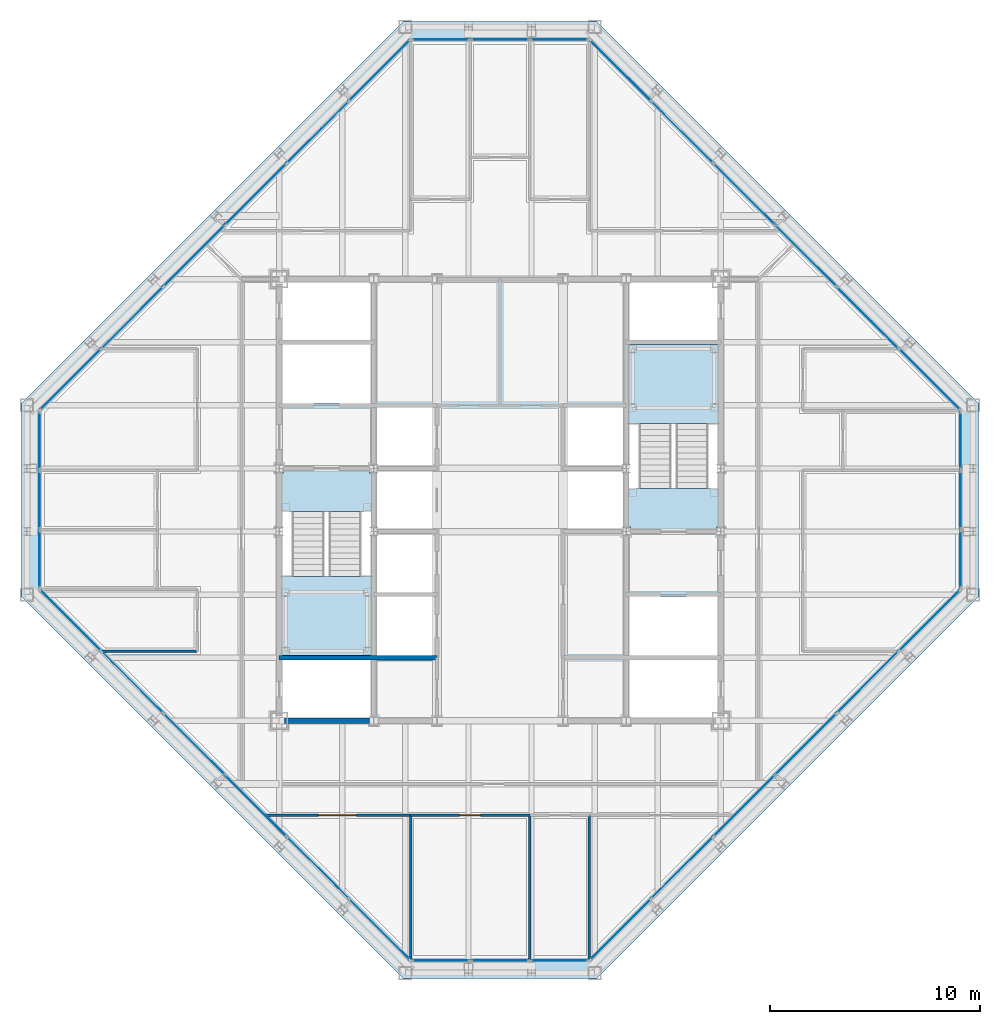
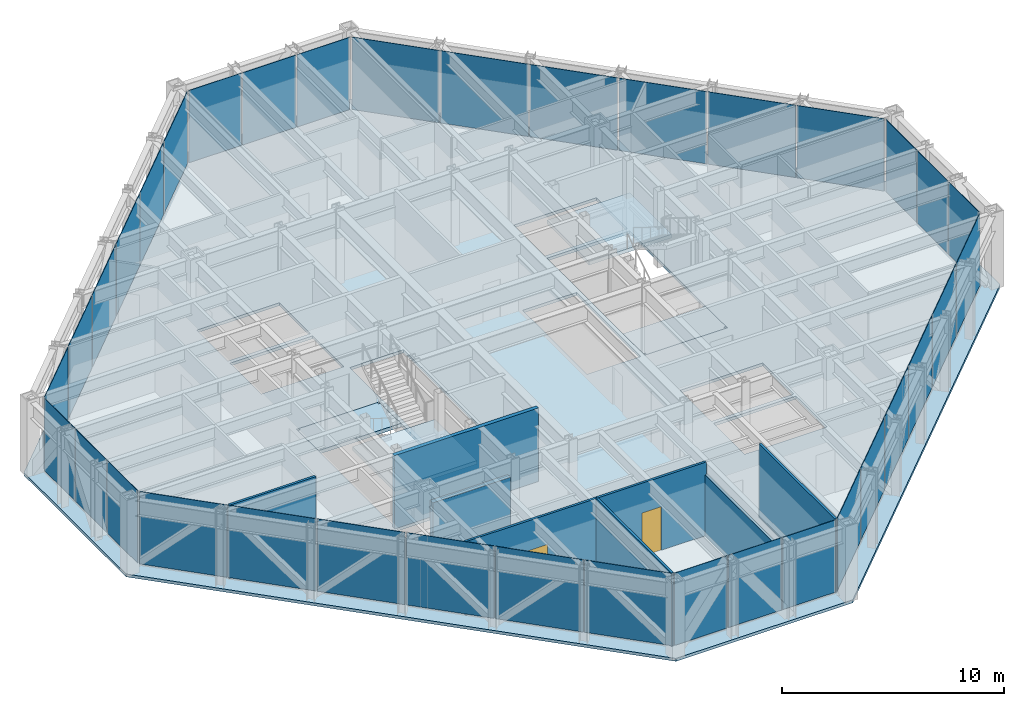
# One storey, part 9 of 15: 36 plates, 8 walls, 5 slabs, 2 doors, 2 openings, 10 elements without a shape of their own.
"""IFC4 building model written with IfcOpenShell, lengths in metres."""

import ifcopenshell
import ifcopenshell.guid

model = None  # the IFC model being written
_history = None  # IfcOwnerHistory: only IFC2X3 demands one
_inside = {}  # id of a spatial element -> (the spatial element, [elements in it])
_under = {}  # id of a project, library or spatial element -> (it, [spatial elements below it])
_declared = {}  # id of a project -> (the project, [libraries it declares])
_typed = {}  # id of a type object -> (the type object, [elements of that type])
_made_of = {}  # id of a material, layer set ... -> (it, [elements and type objects made of it])


def new_model(schema):
    """Start an empty IFC model of exactly this schema.

    Asked for "IFC4X3", IfcOpenShell would pick the latest addendum, in which some entities
    have other attributes; the version numbers below select the first issue.
    IFC2X3 requires an IfcOwnerHistory on every rooted entity: one is made here for all.
    """
    global model, _history
    if schema == "IFC4X3":
        model = ifcopenshell.file(schema_version=(4, 3, 0, 0))
    else:
        model = ifcopenshell.file(schema=schema)
    _inside.clear()
    _under.clear()
    _declared.clear()
    _typed.clear()
    _made_of.clear()
    _history = None
    if model.schema == "IFC2X3":
        org = make("IfcOrganization", Name="unknown")
        user = make(
            "IfcPersonAndOrganization",
            ThePerson=make("IfcPerson", FamilyName="unknown"),
            TheOrganization=org,
        )
        app = make(
            "IfcApplication",
            ApplicationDeveloper=org,
            Version="unknown",
            ApplicationFullName="unknown",
            ApplicationIdentifier="unknown",
        )
        _history = make(
            "IfcOwnerHistory",
            OwningUser=user,
            OwningApplication=app,
            ChangeAction="ADDED",
            CreationDate=0,
        )
    return model


def make(cls, **values):
    """One entity of the class cls with the attributes given. An attribute that is None is left unset."""
    return model.create_entity(
        cls, **{name: value for name, value in values.items() if value is not None}
    )


def rooted(cls, **values):
    """An entity with a GlobalId (a new one), such as an element, a storey or a relation."""
    return make(cls, GlobalId=ifcopenshell.guid.new(), OwnerHistory=_history, **values)


def si_unit(unit_type, name, prefix=None):
    """IfcSIUnit, for example si_unit("LENGTHUNIT", "METRE", prefix="MILLI")."""
    return make("IfcSIUnit", UnitType=unit_type, Prefix=prefix, Name=name)


def assignment(units):
    """IfcUnitAssignment: the units of a project."""
    return None if units is None else make("IfcUnitAssignment", Units=units)


def point(xyz):
    """IfcCartesianPoint."""
    return None if xyz is None else make("IfcCartesianPoint", Coordinates=xyz)


def direction(xyz):
    """IfcDirection."""
    return None if xyz is None else make("IfcDirection", DirectionRatios=xyz)


def frame(location, z_axis=None, x_axis=None):
    """IfcAxis2Placement3D, a coordinate frame: its origin and axes. An axis left out is left unset."""
    return make(
        "IfcAxis2Placement3D",
        Location=point(location),
        Axis=direction(z_axis),
        RefDirection=direction(x_axis),
    )


def frame_2d(location, x_axis=None):
    """IfcAxis2Placement2D, a coordinate frame in the plane: its origin and x axis."""
    return make(
        "IfcAxis2Placement2D", Location=point(location), RefDirection=direction(x_axis)
    )


def origin():
    """The frame at (0, 0, 0) with its axes left unset."""
    return frame((0.0, 0.0, 0.0))


def origin_2d():
    """The frame at (0, 0) in the plane with its x axis left unset."""
    return frame_2d((0.0, 0.0))


def place(relative_to, where):
    """IfcLocalPlacement: puts the frame where relative to a parent placement (None: the world)."""
    return make(
        "IfcLocalPlacement", PlacementRelTo=relative_to, RelativePlacement=where
    )


def context(
    kind, dimensions, precision=None, world=None, true_north=None, identifier=None
):
    """IfcGeometricRepresentationContext, for example the 3D "Model" context."""
    return make(
        "IfcGeometricRepresentationContext",
        ContextIdentifier=identifier,
        ContextType=kind,
        CoordinateSpaceDimension=dimensions,
        Precision=precision,
        WorldCoordinateSystem=world,
        TrueNorth=true_north,
    )


def subcontext(parent, identifier, kind, view, scale=None):
    """IfcGeometricRepresentationSubContext, for example "Body" below "Model"."""
    return make(
        "IfcGeometricRepresentationSubContext",
        ContextIdentifier=identifier,
        ContextType=kind,
        ParentContext=parent,
        TargetScale=scale,
        TargetView=view,
    )


def project(units=None, contexts=None):
    """IfcProject with its units and contexts."""
    return rooted(
        "IfcProject",
        Name="project",
        RepresentationContexts=contexts,
        UnitsInContext=assignment(units),
    )


def spatial(cls, under=None, at=None, **own):
    """A site, building, storey or space (cls), placed at a placement, below another one or the project."""
    s = rooted(cls, ObjectPlacement=at, **own)
    if under is not None:
        _under.setdefault(under.id(), (under, []))[1].append(s)
    return s


def polyline(points):
    """IfcPolyline through the points."""
    return make("IfcPolyline", Points=[point(p) for p in points])


def profile(cls, at=None, kind="AREA", **sizes):
    """A parametric profile (cls). Its sizes go by their IFC names, for example OverallWidth=200.0."""
    return make(cls, ProfileType=kind, Position=at, **sizes)


def rectangle(**sizes):
    """IfcRectangleProfileDef."""
    return profile("IfcRectangleProfileDef", **sizes)


def outline(outer, holes=None, kind="AREA"):
    """IfcArbitraryClosedProfileDef: a profile drawn as a closed curve; with holes, ...WithVoids."""
    if holes is None:
        return make("IfcArbitraryClosedProfileDef", ProfileType=kind, OuterCurve=outer)
    return make(
        "IfcArbitraryProfileDefWithVoids",
        ProfileType=kind,
        OuterCurve=outer,
        InnerCurves=holes,
    )


def extrude(swept, where, along, depth):
    """IfcExtrudedAreaSolid: the profile swept, set in the frame where, extruded along a direction by depth."""
    return make(
        "IfcExtrudedAreaSolid",
        SweptArea=swept,
        Position=where,
        ExtrudedDirection=direction(along),
        Depth=depth,
    )


def shape(context_of_items, identifier, shape_type, items):
    """IfcShapeRepresentation: the items that make up one representation, for example the "Body"."""
    return make(
        "IfcShapeRepresentation",
        ContextOfItems=context_of_items,
        RepresentationIdentifier=identifier,
        RepresentationType=shape_type,
        Items=items,
    )


def material(Name=None, Category=None):
    """IfcMaterial."""
    return make("IfcMaterial", Name=Name, Category=Category)


def layer(
    of_material, thickness, ventilated=None, Name=None, Category=None, Priority=None
):
    """IfcMaterialLayer: one layer of a wall or slab, of a material (None: an air gap)."""
    return make(
        "IfcMaterialLayer",
        Material=of_material,
        LayerThickness=thickness,
        IsVentilated=ventilated,
        Name=Name,
        Category=Category,
        Priority=Priority,
    )


def layer_set(layers, Name=None):
    """IfcMaterialLayerSet."""
    return make("IfcMaterialLayerSet", MaterialLayers=layers, LayerSetName=Name)


def made_of(thing, what):
    """Note that an element or type object is made of a material, layer set ...; save() writes the relation."""
    if what is not None:
        _made_of.setdefault(what.id(), (what, []))[1].append(thing)
    return thing


def type_object(cls, material=None, **own):
    """A type object (cls), such as IfcWallType, which elements share."""
    return made_of(rooted(cls, **own), material)


def element(
    cls,
    number,
    at=None,
    inside=None,
    cuts=None,
    type_object=None,
    material=None,
    context=None,
    identifier="Body",
    shape_type=None,
    held_by="IfcProductDefinitionShape",
    body=None,
    shapes=None,
    **own,
):
    """One element of the class cls, such as IfcWall. Its Tag is "e" and its number.

    at: its placement. inside: the storey or other place that contains it. cuts: it is an
    opening in that element (IfcRelVoidsElement). A single representation is given by context,
    identifier, shape_type and body (its items); several are given by shapes. held_by: the class
    of the entity that holds the representations. save() writes the other relations.
    """
    e = rooted(cls, Tag="e%d" % number, ObjectPlacement=at, **own)
    if body is not None:
        shapes = [shape(context, identifier, shape_type, body)]
    if shapes is not None:
        e.Representation = make(held_by, Representations=shapes)
    if inside is not None:
        _inside.setdefault(inside.id(), (inside, []))[1].append(e)
    if cuts is not None:
        rooted(
            "IfcRelVoidsElement", RelatingBuildingElement=cuts, RelatedOpeningElement=e
        )
    if type_object is not None:
        _typed.setdefault(type_object.id(), (type_object, []))[1].append(e)
    return made_of(e, material)


def fill(opening, filler):
    """IfcRelFillsElement: the door or window that sits in an opening."""
    return rooted(
        "IfcRelFillsElement",
        RelatingOpeningElement=opening,
        RelatedBuildingElement=filler,
    )


def aggregate(whole, parts):
    """IfcRelAggregates: a whole, such as a stair, and the parts it consists of."""
    return rooted("IfcRelAggregates", RelatingObject=whole, RelatedObjects=parts)


def save(model, path):
    """Write the relations noted so far, then the file.

    IfcRelAggregates (storeys below a building ...), IfcRelContainedInSpatialStructure (elements
    in a storey), IfcRelDefinesByType, IfcRelAssociatesMaterial and IfcRelDeclares: one each for
    every whole, place, type object, material and project.
    """
    for whole, parts in _under.values():
        aggregate(whole, parts)
    for where, things in _inside.values():
        rooted(
            "IfcRelContainedInSpatialStructure",
            RelatedElements=things,
            RelatingStructure=where,
        )
    for kind, things in _typed.values():
        rooted("IfcRelDefinesByType", RelatedObjects=things, RelatingType=kind)
    for what, things in _made_of.values():
        rooted("IfcRelAssociatesMaterial", RelatedObjects=things, RelatingMaterial=what)
    for by, libraries in _declared.values():
        rooted("IfcRelDeclares", RelatingContext=by, RelatedDefinitions=libraries)
    model.write(path)


model = new_model("IFC4")

# Units and contexts
model_context = context("Model", 3, precision=1e-05, world=origin(), true_north=direction((0.0, 1.0)))
body_context = subcontext(model_context, "Body", "Model", "MODEL_VIEW")
ifc_project = project(units=[si_unit("LENGTHUNIT", "METRE"), si_unit("AREAUNIT", "SQUARE_METRE"), si_unit("VOLUMEUNIT", "CUBIC_METRE"), si_unit("PLANEANGLEUNIT", "RADIAN"), si_unit("MASSUNIT", "GRAM", prefix="KILO")], contexts=[model_context])

# Site, building, storey
site_placement = place(None, origin())
site = spatial("IfcSite", under=ifc_project, at=site_placement, CompositionType="ELEMENT")
building_placement = place(site_placement, origin())
building = spatial("IfcBuilding", under=site, at=building_placement, Name="Chuquiago Exchange Tower", CompositionType="ELEMENT")
storey_placement = place(building_placement, frame((0.0, 0.0, 287.39990234375)))
storey = spatial("IfcBuildingStorey", under=building, at=storey_placement, Name="L64", CompositionType="ELEMENT", Elevation=287.39990234375)

# Curtain wall, plate
ifc_material_1 = material(Name="Aluminium curtain wall system", Category="aluminium")
ifc_layer_1 = layer(ifc_material_1, 0.22509765625)
ifc_layer_set_1 = layer_set([ifc_layer_1], Name="CW2 office curtain wall")
curtain_wall_type_1 = type_object("IfcCurtainWallType", Name="CW2 office curtain wall", PredefinedType="NOTDEFINED", material=ifc_layer_set_1)
curtain_wall_1_placement = place(storey_placement, origin())
curtain_wall_1 = element("IfcCurtainWall", 1, at=curtain_wall_1_placement, inside=storey, type_object=curtain_wall_type_1, Name="CW2 curtain wall L64", PredefinedType="NOTDEFINED")
ifc_material_2 = material(Name="Glass, insulating unit", Category="glass")
ifc_layer_2 = layer(ifc_material_2, 0.030029296875)
ifc_layer_set_2 = layer_set([ifc_layer_2], Name="CW2-P panel 30")
plate_type_1 = type_object("IfcPlateType", Name="CW2-P panel 30", PredefinedType="CURTAIN_PANEL", material=ifc_layer_set_2)
plate_1_placement = place(storey_placement, frame((25.318115234375, 0.60009765625, 0.06494140625), z_axis=(0.0, 0.0, 1.0), x_axis=(1.0, 0.0, 0.0)))
plate_1 = element("IfcPlate", 2, at=plate_1_placement, type_object=plate_type_1, Name="CW2 panel 3.1", PredefinedType="CURTAIN_PANEL", context=body_context, shape_type="SweptSolid", body=[
    extrude(rectangle(XDim=2.73681640625, YDim=0.030029296875, at=origin_2d()), origin(), (0.0, 0.0, 1.0), 3.97509765625),
])

curtain_wall_2_placement = place(storey_placement, origin())
curtain_wall_2 = element("IfcCurtainWall", 3, at=curtain_wall_2_placement, inside=storey, type_object=curtain_wall_type_1, Name="CW2 curtain wall L64", PredefinedType="NOTDEFINED")
plate_2_placement = place(storey_placement, frame((44.39990234375, 25.318115234375, 0.06494140625), z_axis=(0.0, 0.0, 1.0), x_axis=(0.0, 1.0, 0.0)))
plate_2 = element("IfcPlate", 4, at=plate_2_placement, type_object=plate_type_1, Name="CW2 panel 3.1", PredefinedType="CURTAIN_PANEL", context=body_context, shape_type="SweptSolid", body=[
    extrude(rectangle(XDim=2.73681640625, YDim=0.030029296875, at=origin_2d()), origin(), (0.0, 0.0, 1.0), 3.97509765625),
])

curtain_wall_3_placement = place(storey_placement, origin())
curtain_wall_3 = element("IfcCurtainWall", 5, at=curtain_wall_3_placement, inside=storey, type_object=curtain_wall_type_1, Name="CW2 curtain wall L64", PredefinedType="NOTDEFINED")
plate_3_placement = place(storey_placement, frame((19.681884765625, 44.39990234375, 0.06494140625), z_axis=(0.0, 0.0, 1.0), x_axis=(-1.0, 0.0, 0.0)))
plate_3 = element("IfcPlate", 6, at=plate_3_placement, type_object=plate_type_1, Name="CW2 panel 3.1", PredefinedType="CURTAIN_PANEL", context=body_context, shape_type="SweptSolid", body=[
    extrude(rectangle(XDim=2.73681640625, YDim=0.030029296875, at=origin_2d()), origin(), (0.0, 0.0, 1.0), 3.97509765625),
])

curtain_wall_4_placement = place(storey_placement, origin())
curtain_wall_4 = element("IfcCurtainWall", 7, at=curtain_wall_4_placement, inside=storey, type_object=curtain_wall_type_1, Name="CW2 curtain wall L64", PredefinedType="NOTDEFINED")
plate_4_placement = place(storey_placement, frame((0.60009765625, 19.681884765625, 0.06494140625), z_axis=(0.0, 0.0, 1.0), x_axis=(0.0, -1.0, 0.0)))
plate_4 = element("IfcPlate", 8, at=plate_4_placement, type_object=plate_type_1, Name="CW2 panel 3.1", PredefinedType="CURTAIN_PANEL", context=body_context, shape_type="SweptSolid", body=[
    extrude(rectangle(XDim=2.73681640625, YDim=0.030029296875, at=origin_2d()), origin(), (0.0, 0.0, 1.0), 3.97509765625),
])

# Plate
ifc_material_3 = material(Name="Insulated spandrel panel, pale anodised aluminium", Category="aluminium")
ifc_layer_3 = layer(ifc_material_3, 0.030029296875)
ifc_layer_set_3 = layer_set([ifc_layer_3], Name="CW2-P spandrel panel 30")
plate_type_2 = type_object("IfcPlateType", Name="CW2-P spandrel panel 30", PredefinedType="CURTAIN_PANEL", material=ifc_layer_set_3)
plate_5_placement = place(storey_placement, frame((19.681884765625, 0.60009765625, 0.06494140625), z_axis=(0.0, 0.0, 1.0), x_axis=(1.0, 0.0, 0.0)))
plate_5 = element("IfcPlate", 9, at=plate_5_placement, type_object=plate_type_2, Name="CW2 panel 1.1", PredefinedType="CURTAIN_PANEL", context=body_context, shape_type="SweptSolid", body=[
    extrude(rectangle(XDim=2.73681640625, YDim=0.030029296875, at=origin_2d()), origin(), (0.0, 0.0, 1.0), 3.97509765625),
])

plate_6_placement = place(storey_placement, frame((22.5, 0.60009765625, 0.06494140625), z_axis=(0.0, 0.0, 1.0), x_axis=(1.0, 0.0, 0.0)))
plate_6 = element("IfcPlate", 10, at=plate_6_placement, type_object=plate_type_2, Name="CW2 panel 2.1", PredefinedType="CURTAIN_PANEL", context=body_context, shape_type="SweptSolid", body=[
    extrude(rectangle(XDim=2.769287109375, YDim=0.030029296875, at=origin_2d()), origin(), (0.0, 0.0, 1.0), 3.97509765625),
])

aggregate(curtain_wall_1, [plate_5, plate_6, plate_1])

plate_7_placement = place(storey_placement, frame((44.39990234375, 19.681884765625, 0.06494140625), z_axis=(0.0, 0.0, 1.0), x_axis=(0.0, 1.0, 0.0)))
plate_7 = element("IfcPlate", 11, at=plate_7_placement, type_object=plate_type_2, Name="CW2 panel 1.1", PredefinedType="CURTAIN_PANEL", context=body_context, shape_type="SweptSolid", body=[
    extrude(rectangle(XDim=2.73681640625, YDim=0.030029296875, at=origin_2d()), origin(), (0.0, 0.0, 1.0), 3.97509765625),
])

plate_8_placement = place(storey_placement, frame((44.39990234375, 22.5, 0.06494140625), z_axis=(0.0, 0.0, 1.0), x_axis=(0.0, 1.0, 0.0)))
plate_8 = element("IfcPlate", 12, at=plate_8_placement, type_object=plate_type_2, Name="CW2 panel 2.1", PredefinedType="CURTAIN_PANEL", context=body_context, shape_type="SweptSolid", body=[
    extrude(rectangle(XDim=2.769287109375, YDim=0.030029296875, at=origin_2d()), origin(), (0.0, 0.0, 1.0), 3.97509765625),
])

aggregate(curtain_wall_2, [plate_7, plate_8, plate_2])

plate_9_placement = place(storey_placement, frame((25.318115234375, 44.39990234375, 0.06494140625), z_axis=(0.0, 0.0, 1.0), x_axis=(-1.0, 0.0, 0.0)))
plate_9 = element("IfcPlate", 13, at=plate_9_placement, type_object=plate_type_2, Name="CW2 panel 1.1", PredefinedType="CURTAIN_PANEL", context=body_context, shape_type="SweptSolid", body=[
    extrude(rectangle(XDim=2.73681640625, YDim=0.030029296875, at=origin_2d()), origin(), (0.0, 0.0, 1.0), 3.97509765625),
])

plate_10_placement = place(storey_placement, frame((22.5, 44.39990234375, 0.06494140625), z_axis=(0.0, 0.0, 1.0), x_axis=(-1.0, 0.0, 0.0)))
plate_10 = element("IfcPlate", 14, at=plate_10_placement, type_object=plate_type_2, Name="CW2 panel 2.1", PredefinedType="CURTAIN_PANEL", context=body_context, shape_type="SweptSolid", body=[
    extrude(rectangle(XDim=2.769287109375, YDim=0.030029296875, at=origin_2d()), origin(), (0.0, 0.0, 1.0), 3.97509765625),
])

aggregate(curtain_wall_3, [plate_9, plate_10, plate_3])

plate_11_placement = place(storey_placement, frame((0.60009765625, 25.318115234375, 0.06494140625), z_axis=(0.0, 0.0, 1.0), x_axis=(0.0, -1.0, 0.0)))
plate_11 = element("IfcPlate", 15, at=plate_11_placement, type_object=plate_type_2, Name="CW2 panel 1.1", PredefinedType="CURTAIN_PANEL", context=body_context, shape_type="SweptSolid", body=[
    extrude(rectangle(XDim=2.73681640625, YDim=0.030029296875, at=origin_2d()), origin(), (0.0, 0.0, 1.0), 3.97509765625),
])

plate_12_placement = place(storey_placement, frame((0.60009765625, 22.5, 0.06494140625), z_axis=(0.0, 0.0, 1.0), x_axis=(0.0, -1.0, 0.0)))
plate_12 = element("IfcPlate", 16, at=plate_12_placement, type_object=plate_type_2, Name="CW2 panel 2.1", PredefinedType="CURTAIN_PANEL", context=body_context, shape_type="SweptSolid", body=[
    extrude(rectangle(XDim=2.769287109375, YDim=0.030029296875, at=origin_2d()), origin(), (0.0, 0.0, 1.0), 3.97509765625),
])

aggregate(curtain_wall_4, [plate_11, plate_12, plate_4])

# Curtain wall, plates
ifc_material_4 = material(Name="Aluminium curtain wall system", Category="aluminium")
ifc_layer_4 = layer(ifc_material_4, 0.199951171875)
ifc_layer_set_4 = layer_set([ifc_layer_4], Name="CW3 facet curtain wall")
curtain_wall_type_2 = type_object("IfcCurtainWallType", Name="CW3 facet curtain wall", PredefinedType="NOTDEFINED", material=ifc_layer_set_4)
curtain_wall_5_placement = place(storey_placement, origin())
curtain_wall_5 = element("IfcCurtainWall", 17, at=curtain_wall_5_placement, inside=storey, type_object=curtain_wall_type_2, Name="CW3 curtain wall L64", PredefinedType="NOTDEFINED")
ifc_material_5 = material(Name="Insulated spandrel panel, pale anodised aluminium", Category="aluminium")
ifc_layer_5 = layer(ifc_material_5, 0.030029296875)
ifc_layer_set_5 = layer_set([ifc_layer_5], Name="CW3-P spandrel panel 30")
plate_type_3 = type_object("IfcPlateType", Name="CW3-P spandrel panel 30", PredefinedType="CURTAIN_PANEL", material=ifc_layer_set_5)
plate_13_placement = place(storey_placement, frame((28.233642578125, 2.082275390625, 0.06494140625), z_axis=(0.0, 0.0, 1.0), x_axis=(0.707106781187, 0.707106781187, 0.0)))
plate_13 = element("IfcPlate", 18, at=plate_13_placement, type_object=plate_type_3, Name="CW3 panel 1.1", PredefinedType="CURTAIN_PANEL", context=body_context, shape_type="SweptSolid", body=[
    extrude(rectangle(XDim=4.062255859375, YDim=0.030029296875, at=origin_2d()), origin(), (0.0, 0.0, 1.0), 3.97509765625),
])
plate_14_placement = place(storey_placement, frame((31.16357421875, 5.01220703125, 0.06494140625), z_axis=(0.0, 0.0, 1.0), x_axis=(0.707106781187, 0.707106781187, 0.0)))
plate_14 = element("IfcPlate", 19, at=plate_14_placement, type_object=plate_type_3, Name="CW3 panel 2.1", PredefinedType="CURTAIN_PANEL", context=body_context, shape_type="SweptSolid", body=[
    extrude(rectangle(XDim=4.0947265625, YDim=0.030029296875, at=origin_2d()), origin(), (0.0, 0.0, 1.0), 3.97509765625),
])
plate_15_placement = place(storey_placement, frame((34.10498046875, 7.95361328125, 0.06494140625), z_axis=(0.0, 0.0, 1.0), x_axis=(0.707106781187, 0.707106781187, 0.0)))
plate_15 = element("IfcPlate", 20, at=plate_15_placement, type_object=plate_type_3, Name="CW3 panel 3.1", PredefinedType="CURTAIN_PANEL", context=body_context, shape_type="SweptSolid", body=[
    extrude(rectangle(XDim=4.0947265625, YDim=0.030029296875, at=origin_2d()), origin(), (0.0, 0.0, 1.0), 3.97509765625),
])
plate_16_placement = place(storey_placement, frame((37.04638671875, 10.89501953125, 0.06494140625), z_axis=(0.0, 0.0, 1.0), x_axis=(0.707106781187, 0.707106781187, 0.0)))
plate_16 = element("IfcPlate", 21, at=plate_16_placement, type_object=plate_type_3, Name="CW3 panel 4.1", PredefinedType="CURTAIN_PANEL", context=body_context, shape_type="SweptSolid", body=[
    extrude(rectangle(XDim=4.0947265625, YDim=0.030029296875, at=origin_2d()), origin(), (0.0, 0.0, 1.0), 3.97509765625),
])
plate_17_placement = place(storey_placement, frame((39.98779296875, 13.83642578125, 0.06494140625), z_axis=(0.0, 0.0, 1.0), x_axis=(0.707106781187, 0.707106781187, 0.0)))
plate_17 = element("IfcPlate", 22, at=plate_17_placement, type_object=plate_type_3, Name="CW3 panel 5.1", PredefinedType="CURTAIN_PANEL", context=body_context, shape_type="SweptSolid", body=[
    extrude(rectangle(XDim=4.0947265625, YDim=0.030029296875, at=origin_2d()), origin(), (0.0, 0.0, 1.0), 3.97509765625),
])
plate_18_placement = place(storey_placement, frame((42.917724609375, 16.766357421875, 0.06494140625), z_axis=(0.0, 0.0, 1.0), x_axis=(0.707106781187, 0.707106781187, 0.0)))
plate_18 = element("IfcPlate", 23, at=plate_18_placement, type_object=plate_type_3, Name="CW3 panel 6.1", PredefinedType="CURTAIN_PANEL", context=body_context, shape_type="SweptSolid", body=[
    extrude(rectangle(XDim=4.062255859375, YDim=0.030029296875, at=origin_2d()), origin(), (0.0, 0.0, 1.0), 3.97509765625),
])
aggregate(curtain_wall_5, [plate_13, plate_14, plate_15, plate_16, plate_17, plate_18])

curtain_wall_6_placement = place(storey_placement, origin())
curtain_wall_6 = element("IfcCurtainWall", 24, at=curtain_wall_6_placement, inside=storey, type_object=curtain_wall_type_2, Name="CW3 curtain wall L64", PredefinedType="NOTDEFINED")
plate_19_placement = place(storey_placement, frame((42.917724609375, 28.233642578125, 0.06494140625), z_axis=(0.0, 0.0, 1.0), x_axis=(-0.707106781187, 0.707106781187, 0.0)))
plate_19 = element("IfcPlate", 25, at=plate_19_placement, type_object=plate_type_3, Name="CW3 panel 1.1", PredefinedType="CURTAIN_PANEL", context=body_context, shape_type="SweptSolid", body=[
    extrude(rectangle(XDim=4.062255859375, YDim=0.030029296875, at=origin_2d()), origin(), (0.0, 0.0, 1.0), 3.97509765625),
])
plate_20_placement = place(storey_placement, frame((39.98779296875, 31.16357421875, 0.06494140625), z_axis=(0.0, 0.0, 1.0), x_axis=(-0.707106781187, 0.707106781187, 0.0)))
plate_20 = element("IfcPlate", 26, at=plate_20_placement, type_object=plate_type_3, Name="CW3 panel 2.1", PredefinedType="CURTAIN_PANEL", context=body_context, shape_type="SweptSolid", body=[
    extrude(rectangle(XDim=4.0947265625, YDim=0.030029296875, at=origin_2d()), origin(), (0.0, 0.0, 1.0), 3.97509765625),
])
plate_21_placement = place(storey_placement, frame((37.04638671875, 34.10498046875, 0.06494140625), z_axis=(0.0, 0.0, 1.0), x_axis=(-0.707106781187, 0.707106781187, 0.0)))
plate_21 = element("IfcPlate", 27, at=plate_21_placement, type_object=plate_type_3, Name="CW3 panel 3.1", PredefinedType="CURTAIN_PANEL", context=body_context, shape_type="SweptSolid", body=[
    extrude(rectangle(XDim=4.0947265625, YDim=0.030029296875, at=origin_2d()), origin(), (0.0, 0.0, 1.0), 3.97509765625),
])
plate_22_placement = place(storey_placement, frame((34.10498046875, 37.04638671875, 0.06494140625), z_axis=(0.0, 0.0, 1.0), x_axis=(-0.707106781187, 0.707106781187, 0.0)))
plate_22 = element("IfcPlate", 28, at=plate_22_placement, type_object=plate_type_3, Name="CW3 panel 4.1", PredefinedType="CURTAIN_PANEL", context=body_context, shape_type="SweptSolid", body=[
    extrude(rectangle(XDim=4.0947265625, YDim=0.030029296875, at=origin_2d()), origin(), (0.0, 0.0, 1.0), 3.97509765625),
])
plate_23_placement = place(storey_placement, frame((31.16357421875, 39.98779296875, 0.06494140625), z_axis=(0.0, 0.0, 1.0), x_axis=(-0.707106781187, 0.707106781187, 0.0)))
plate_23 = element("IfcPlate", 29, at=plate_23_placement, type_object=plate_type_3, Name="CW3 panel 5.1", PredefinedType="CURTAIN_PANEL", context=body_context, shape_type="SweptSolid", body=[
    extrude(rectangle(XDim=4.0947265625, YDim=0.030029296875, at=origin_2d()), origin(), (0.0, 0.0, 1.0), 3.97509765625),
])
plate_24_placement = place(storey_placement, frame((28.233642578125, 42.917724609375, 0.06494140625), z_axis=(0.0, 0.0, 1.0), x_axis=(-0.707106781187, 0.707106781187, 0.0)))
plate_24 = element("IfcPlate", 30, at=plate_24_placement, type_object=plate_type_3, Name="CW3 panel 6.1", PredefinedType="CURTAIN_PANEL", context=body_context, shape_type="SweptSolid", body=[
    extrude(rectangle(XDim=4.062255859375, YDim=0.030029296875, at=origin_2d()), origin(), (0.0, 0.0, 1.0), 3.97509765625),
])
aggregate(curtain_wall_6, [plate_19, plate_20, plate_21, plate_22, plate_23, plate_24])

curtain_wall_7_placement = place(storey_placement, origin())
curtain_wall_7 = element("IfcCurtainWall", 31, at=curtain_wall_7_placement, inside=storey, type_object=curtain_wall_type_2, Name="CW3 curtain wall L64", PredefinedType="NOTDEFINED")
plate_25_placement = place(storey_placement, frame((16.766357421875, 42.917724609375, 0.06494140625), z_axis=(0.0, 0.0, 1.0), x_axis=(-0.707106781187, -0.707106781187, 0.0)))
plate_25 = element("IfcPlate", 32, at=plate_25_placement, type_object=plate_type_3, Name="CW3 panel 1.1", PredefinedType="CURTAIN_PANEL", context=body_context, shape_type="SweptSolid", body=[
    extrude(rectangle(XDim=4.062255859375, YDim=0.030029296875, at=origin_2d()), origin(), (0.0, 0.0, 1.0), 3.97509765625),
])
plate_26_placement = place(storey_placement, frame((13.83642578125, 39.98779296875, 0.06494140625), z_axis=(0.0, 0.0, 1.0), x_axis=(-0.707106781187, -0.707106781187, 0.0)))
plate_26 = element("IfcPlate", 33, at=plate_26_placement, type_object=plate_type_3, Name="CW3 panel 2.1", PredefinedType="CURTAIN_PANEL", context=body_context, shape_type="SweptSolid", body=[
    extrude(rectangle(XDim=4.0947265625, YDim=0.030029296875, at=origin_2d()), origin(), (0.0, 0.0, 1.0), 3.97509765625),
])
plate_27_placement = place(storey_placement, frame((10.89501953125, 37.04638671875, 0.06494140625), z_axis=(0.0, 0.0, 1.0), x_axis=(-0.707106781187, -0.707106781187, 0.0)))
plate_27 = element("IfcPlate", 34, at=plate_27_placement, type_object=plate_type_3, Name="CW3 panel 3.1", PredefinedType="CURTAIN_PANEL", context=body_context, shape_type="SweptSolid", body=[
    extrude(rectangle(XDim=4.0947265625, YDim=0.030029296875, at=origin_2d()), origin(), (0.0, 0.0, 1.0), 3.97509765625),
])
plate_28_placement = place(storey_placement, frame((7.95361328125, 34.10498046875, 0.06494140625), z_axis=(0.0, 0.0, 1.0), x_axis=(-0.707106781187, -0.707106781187, 0.0)))
plate_28 = element("IfcPlate", 35, at=plate_28_placement, type_object=plate_type_3, Name="CW3 panel 4.1", PredefinedType="CURTAIN_PANEL", context=body_context, shape_type="SweptSolid", body=[
    extrude(rectangle(XDim=4.0947265625, YDim=0.030029296875, at=origin_2d()), origin(), (0.0, 0.0, 1.0), 3.97509765625),
])
plate_29_placement = place(storey_placement, frame((5.01220703125, 31.16357421875, 0.06494140625), z_axis=(0.0, 0.0, 1.0), x_axis=(-0.707106781187, -0.707106781187, 0.0)))
plate_29 = element("IfcPlate", 36, at=plate_29_placement, type_object=plate_type_3, Name="CW3 panel 5.1", PredefinedType="CURTAIN_PANEL", context=body_context, shape_type="SweptSolid", body=[
    extrude(rectangle(XDim=4.0947265625, YDim=0.030029296875, at=origin_2d()), origin(), (0.0, 0.0, 1.0), 3.97509765625),
])
plate_30_placement = place(storey_placement, frame((2.082275390625, 28.233642578125, 0.06494140625), z_axis=(0.0, 0.0, 1.0), x_axis=(-0.707106781187, -0.707106781187, 0.0)))
plate_30 = element("IfcPlate", 37, at=plate_30_placement, type_object=plate_type_3, Name="CW3 panel 6.1", PredefinedType="CURTAIN_PANEL", context=body_context, shape_type="SweptSolid", body=[
    extrude(rectangle(XDim=4.062255859375, YDim=0.030029296875, at=origin_2d()), origin(), (0.0, 0.0, 1.0), 3.97509765625),
])
aggregate(curtain_wall_7, [plate_25, plate_26, plate_27, plate_28, plate_29, plate_30])

curtain_wall_8_placement = place(storey_placement, origin())
curtain_wall_8 = element("IfcCurtainWall", 38, at=curtain_wall_8_placement, inside=storey, type_object=curtain_wall_type_2, Name="CW3 curtain wall L64", PredefinedType="NOTDEFINED")
plate_31_placement = place(storey_placement, frame((2.082275390625, 16.766357421875, 0.06494140625), z_axis=(0.0, 0.0, 1.0), x_axis=(0.707106781187, -0.707106781187, 0.0)))
plate_31 = element("IfcPlate", 39, at=plate_31_placement, type_object=plate_type_3, Name="CW3 panel 1.1", PredefinedType="CURTAIN_PANEL", context=body_context, shape_type="SweptSolid", body=[
    extrude(rectangle(XDim=4.062255859375, YDim=0.030029296875, at=origin_2d()), origin(), (0.0, 0.0, 1.0), 3.97509765625),
])
plate_32_placement = place(storey_placement, frame((5.01220703125, 13.83642578125, 0.06494140625), z_axis=(0.0, 0.0, 1.0), x_axis=(0.707106781187, -0.707106781187, 0.0)))
plate_32 = element("IfcPlate", 40, at=plate_32_placement, type_object=plate_type_3, Name="CW3 panel 2.1", PredefinedType="CURTAIN_PANEL", context=body_context, shape_type="SweptSolid", body=[
    extrude(rectangle(XDim=4.0947265625, YDim=0.030029296875, at=origin_2d()), origin(), (0.0, 0.0, 1.0), 3.97509765625),
])
plate_33_placement = place(storey_placement, frame((7.95361328125, 10.89501953125, 0.06494140625), z_axis=(0.0, 0.0, 1.0), x_axis=(0.707106781187, -0.707106781187, 0.0)))
plate_33 = element("IfcPlate", 41, at=plate_33_placement, type_object=plate_type_3, Name="CW3 panel 3.1", PredefinedType="CURTAIN_PANEL", context=body_context, shape_type="SweptSolid", body=[
    extrude(rectangle(XDim=4.0947265625, YDim=0.030029296875, at=origin_2d()), origin(), (0.0, 0.0, 1.0), 3.97509765625),
])
plate_34_placement = place(storey_placement, frame((10.89501953125, 7.95361328125, 0.06494140625), z_axis=(0.0, 0.0, 1.0), x_axis=(0.707106781187, -0.707106781187, 0.0)))
plate_34 = element("IfcPlate", 42, at=plate_34_placement, type_object=plate_type_3, Name="CW3 panel 4.1", PredefinedType="CURTAIN_PANEL", context=body_context, shape_type="SweptSolid", body=[
    extrude(rectangle(XDim=4.0947265625, YDim=0.030029296875, at=origin_2d()), origin(), (0.0, 0.0, 1.0), 3.97509765625),
])
plate_35_placement = place(storey_placement, frame((13.83642578125, 5.01220703125, 0.06494140625), z_axis=(0.0, 0.0, 1.0), x_axis=(0.707106781187, -0.707106781187, 0.0)))
plate_35 = element("IfcPlate", 43, at=plate_35_placement, type_object=plate_type_3, Name="CW3 panel 5.1", PredefinedType="CURTAIN_PANEL", context=body_context, shape_type="SweptSolid", body=[
    extrude(rectangle(XDim=4.0947265625, YDim=0.030029296875, at=origin_2d()), origin(), (0.0, 0.0, 1.0), 3.97509765625),
])
plate_36_placement = place(storey_placement, frame((16.766357421875, 2.082275390625, 0.06494140625), z_axis=(0.0, 0.0, 1.0), x_axis=(0.707106781187, -0.707106781187, 0.0)))
plate_36 = element("IfcPlate", 44, at=plate_36_placement, type_object=plate_type_3, Name="CW3 panel 6.1", PredefinedType="CURTAIN_PANEL", context=body_context, shape_type="SweptSolid", body=[
    extrude(rectangle(XDim=4.062255859375, YDim=0.030029296875, at=origin_2d()), origin(), (0.0, 0.0, 1.0), 3.97509765625),
])
aggregate(curtain_wall_8, [plate_31, plate_32, plate_33, plate_34, plate_35, plate_36])

# Slab
ifc_material_6 = material(Name="Concrete C30/37", Category="concrete")
ifc_layer_6 = layer(ifc_material_6, 0.159912109375)
ifc_layer_set_6 = layer_set([ifc_layer_6], Name="FS1 composite floor 160")
slab_type_1 = type_object("IfcSlabType", Name="FS1 composite floor 160", PredefinedType="FLOOR", material=ifc_layer_set_6)
slab_1_placement = place(storey_placement, frame((0.0, 0.0, -0.159912109375)))
element("IfcSlab", 45, at=slab_1_placement, inside=storey, type_object=slab_type_1, Name="L64 floor slab", PredefinedType="FLOOR", context=body_context, shape_type="SweptSolid", body=[
    extrude(outline(polyline([(17.896484375, -0.25), (-0.25, 17.896484375), (-0.25, 27.103515625), (17.896484375, 45.25), (27.103515625, 45.25), (45.25, 27.103515625), (45.25, 17.896484375), (27.103515625, -0.25), (17.896484375, -0.25)]), holes=[polyline([(16.39990234375, 15.10009765625), (12.10009765625, 15.10009765625), (12.10009765625, 23.89990234375), (16.39990234375, 23.89990234375), (16.39990234375, 15.10009765625)]), polyline([(32.89990234375, 21.10009765625), (28.60009765625, 21.10009765625), (28.60009765625, 29.89990234375), (32.89990234375, 29.89990234375), (32.89990234375, 21.10009765625)]), polyline([(16.39990234375, 12.10009765625), (12.10009765625, 12.10009765625), (12.10009765625, 14.89990234375), (16.39990234375, 14.89990234375), (16.39990234375, 12.10009765625)]), polyline([(16.39990234375, 30.10009765625), (12.10009765625, 30.10009765625), (12.10009765625, 32.89990234375), (16.39990234375, 32.89990234375), (16.39990234375, 30.10009765625)]), polyline([(32.89990234375, 12.10009765625), (28.60009765625, 12.10009765625), (28.60009765625, 14.89990234375), (32.89990234375, 14.89990234375), (32.89990234375, 12.10009765625)]), polyline([(32.89990234375, 30.10009765625), (28.60009765625, 30.10009765625), (28.60009765625, 32.89990234375), (32.89990234375, 32.89990234375), (32.89990234375, 30.10009765625)]), polyline([(16.39990234375, 27.10009765625), (12.10009765625, 27.10009765625), (12.10009765625, 29.89990234375), (16.39990234375, 29.89990234375), (16.39990234375, 27.10009765625)]), polyline([(32.89990234375, 15.10009765625), (28.60009765625, 15.10009765625), (28.60009765625, 17.89990234375), (32.89990234375, 17.89990234375), (32.89990234375, 15.10009765625)]), polyline([(19.39990234375, 15.10009765625), (16.60009765625, 15.10009765625), (16.60009765625, 26.89990234375), (19.39990234375, 26.89990234375), (19.39990234375, 15.10009765625)]), polyline([(28.39990234375, 21.10009765625), (25.60009765625, 21.10009765625), (25.60009765625, 26.89990234375), (28.39990234375, 26.89990234375), (28.39990234375, 21.10009765625)])]), origin(), (0.0, 0.0, 1.0), 0.159912109375),
])

# Stair, slabs
ifc_material_7 = material(Name="Concrete C30/37, precast", Category="concrete")
stair_type_1 = type_object("IfcStairType", Name="ST1 half-turn stair 4200", PredefinedType="HALF_TURN_STAIR", material=ifc_material_7)
stair_1_placement = place(storey_placement, origin())
stair_1 = element("IfcStair", 46, at=stair_1_placement, inside=storey, type_object=stair_type_1, Name="Stair ST1 L64", PredefinedType="HALF_TURN_STAIR")
ifc_material_8 = material(Name="Concrete C30/37, precast", Category="concrete")
ifc_layer_7 = layer(ifc_material_8, 0.199951171875)
ifc_layer_set_7 = layer_set([ifc_layer_7], Name="ST-L landing 200")
slab_type_2 = type_object("IfcSlabType", Name="ST-L landing 200", PredefinedType="LANDING", material=ifc_layer_set_7)
slab_2_placement = place(storey_placement, frame((0.0, 0.0, -0.199951171875)))
slab_2 = element("IfcSlab", 47, at=slab_2_placement, type_object=slab_type_2, Name="ST1 landing 1", PredefinedType="LANDING", context=body_context, shape_type="SweptSolid", body=[
    extrude(outline(polyline([(12.208251953125, 23.89990234375), (16.291748046875, 23.89990234375), (16.291748046875, 23.77783203125), (16.39990234375, 23.77783203125), (16.39990234375, 21.949951171875), (12.10009765625, 21.949951171875), (12.10009765625, 23.77783203125), (12.208251953125, 23.77783203125), (12.208251953125, 23.89990234375)])), origin(), (0.0, 0.0, 1.0), 0.199951171875),
])
slab_3_placement = place(storey_placement, frame((0.0, 0.0, 1.900146484375)))
slab_3 = element("IfcSlab", 48, at=slab_3_placement, type_object=slab_type_2, Name="ST1 landing 2", PredefinedType="LANDING", context=body_context, shape_type="SweptSolid", body=[
    extrude(outline(polyline([(12.10009765625, 18.8701171875), (16.39990234375, 18.8701171875), (16.39990234375, 15.10009765625), (12.10009765625, 15.10009765625), (12.10009765625, 18.8701171875)])), origin(), (0.0, 0.0, 1.0), 0.199951171875),
])
aggregate(stair_1, [slab_2, slab_3])

ifc_material_9 = material(Name="Concrete C30/37, precast", Category="concrete")
stair_type_2 = type_object("IfcStairType", Name="ST2 half-turn stair 4200", PredefinedType="HALF_TURN_STAIR", material=ifc_material_9)
stair_2_placement = place(storey_placement, origin())
stair_2 = element("IfcStair", 49, at=stair_2_placement, inside=storey, type_object=stair_type_2, Name="Stair ST2 L64", PredefinedType="HALF_TURN_STAIR")
slab_4_placement = place(storey_placement, frame((0.0, 0.0, -0.199951171875)))
slab_4 = element("IfcSlab", 50, at=slab_4_placement, type_object=slab_type_2, Name="ST2 landing 1", PredefinedType="LANDING", context=body_context, shape_type="SweptSolid", body=[
    extrude(outline(polyline([(32.791748046875, 21.22216796875), (32.791748046875, 21.10009765625), (28.708251953125, 21.10009765625), (28.708251953125, 21.22216796875), (28.60009765625, 21.22216796875), (28.60009765625, 23.050048828125), (32.89990234375, 23.050048828125), (32.89990234375, 21.22216796875), (32.791748046875, 21.22216796875)])), origin(), (0.0, 0.0, 1.0), 0.199951171875),
])
slab_5_placement = place(storey_placement, frame((0.0, 0.0, 1.900146484375)))
slab_5 = element("IfcSlab", 51, at=slab_5_placement, type_object=slab_type_2, Name="ST2 landing 2", PredefinedType="LANDING", context=body_context, shape_type="SweptSolid", body=[
    extrude(outline(polyline([(28.60009765625, 29.89990234375), (32.89990234375, 29.89990234375), (32.89990234375, 26.1298828125), (28.60009765625, 26.1298828125), (28.60009765625, 29.89990234375)])), origin(), (0.0, 0.0, 1.0), 0.199951171875),
])
aggregate(stair_2, [slab_4, slab_5])

# Walls
ifc_material_10 = material(Name="Concrete masonry, fully grouted", Category="masonry")
ifc_layer_8 = layer(ifc_material_10, 0.25)
ifc_layer_set_8 = layer_set([ifc_layer_8], Name="W1 core wall 250")
wall_type_1 = type_object("IfcWallType", Name="W1 core wall 250", PredefinedType="SOLIDWALL", material=ifc_layer_set_8)
wall_1_placement = place(storey_placement, frame((12.25, 12.0, 0.0), z_axis=(0.0, 0.0, 1.0), x_axis=(1.0, 0.0, 0.0)))
element("IfcWall", 52, at=wall_1_placement, inside=storey, type_object=wall_type_1, Name="CW-L64-01-0", PredefinedType="SOLIDWALL", context=body_context, shape_type="SweptSolid", body=[
    extrude(rectangle(XDim=4.041748046875, YDim=0.25, at=frame_2d((2.02099609375, 0.0))), origin(), (0.0, 0.0, 1.0), 3.181640625),
])
ifc_material_11 = material(Name="Concrete masonry, fully grouted", Category="masonry")
ifc_layer_9 = layer(ifc_material_11, 0.199951171875)
ifc_layer_set_9 = layer_set([ifc_layer_9], Name="W2 shaft wall 200")
wall_type_2 = type_object("IfcWallType", Name="W2 shaft wall 200", PredefinedType="SOLIDWALL", material=ifc_layer_set_9)
wall_2_placement = place(storey_placement, frame((12.0, 15.0, 0.0), z_axis=(0.0, 0.0, 1.0), x_axis=(1.0, 0.0, 0.0)))
element("IfcWall", 53, at=wall_2_placement, inside=storey, type_object=wall_type_2, Name="CW-L64-03-0", PredefinedType="SOLIDWALL", context=body_context, shape_type="SweptSolid", body=[
    extrude(rectangle(XDim=7.5, YDim=0.199951171875, at=frame_2d((3.75, 0.0))), origin(), (0.0, 0.0, 1.0), 4.0400390625),
])
ifc_material_12 = material(Name="Gypsum board on steel studs", Category="steel")
ifc_layer_10 = layer(ifc_material_12, 0.1201171875)
ifc_layer_set_10 = layer_set([ifc_layer_10], Name="W4 partition 120")
wall_type_3 = type_object("IfcWallType", Name="W4 partition 120", PredefinedType="PARTITIONING", material=ifc_layer_set_10)
wall_3_placement = place(storey_placement, frame((18.24853515625, 0.666015625, 0.0), z_axis=(0.0, 0.0, 1.0), x_axis=(0.0, 1.0, 0.0)))
element("IfcWall", 54, at=wall_3_placement, inside=storey, type_object=wall_type_3, Name="PW-L64-S01825", PredefinedType="PARTITIONING", context=body_context, shape_type="SweptSolid", body=[
    extrude(rectangle(XDim=6.833984375, YDim=0.1201171875, at=frame_2d((3.4169921875, 0.0))), origin(), (0.0, 0.0, 1.0), 4.0400390625),
])
wall_4_placement = place(storey_placement, frame((23.917236328125, 0.652587890625, 0.0), z_axis=(0.0, 0.0, 1.0), x_axis=(0.0, 1.0, 0.0)))
element("IfcWall", 55, at=wall_4_placement, inside=storey, type_object=wall_type_3, Name="PW-L64-S02392", PredefinedType="PARTITIONING", context=body_context, shape_type="SweptSolid", body=[
    extrude(rectangle(XDim=6.847412109375, YDim=0.1201171875, at=frame_2d((3.423828125, 0.0))), origin(), (0.0, 0.0, 1.0), 3.35693359375),
])
wall_5_placement = place(storey_placement, frame((26.75146484375, 0.666015625, 0.0), z_axis=(0.0, 0.0, 1.0), x_axis=(0.0, 1.0, 0.0)))
element("IfcWall", 56, at=wall_5_placement, inside=storey, type_object=wall_type_3, Name="PW-L64-S02675", PredefinedType="PARTITIONING", context=body_context, shape_type="SweptSolid", body=[
    extrude(rectangle(XDim=6.833984375, YDim=0.1201171875, at=frame_2d((3.4169921875, 0.0))), origin(), (0.0, 0.0, 1.0), 4.0400390625),
])

# Wall, opening, door
wall_6_placement = place(storey_placement, frame((11.385498046875, 7.5, 0.0), z_axis=(0.0, 0.0, 1.0), x_axis=(1.0, 0.0, 0.0)))
wall_6 = element("IfcWall", 57, at=wall_6_placement, inside=storey, type_object=wall_type_3, Name="PW-L64-SF00942", PredefinedType="PARTITIONING", context=body_context, shape_type="SweptSolid", body=[
    extrude(rectangle(XDim=6.863037109375, YDim=0.1201171875, at=frame_2d((3.431640625, 0.0))), origin(), (0.0, 0.0, 1.0), 4.0400390625),
])
opening_1_placement = place(wall_6_placement, frame((2.479248046875, 0.0, 0.0)))
opening_1 = element("IfcOpeningElement", 58, at=opening_1_placement, cuts=wall_6, Name="Opening L64-020", PredefinedType="OPENING", context=body_context, shape_type="SweptSolid", body=[
    extrude(rectangle(XDim=1.800048828125, YDim=2.39990234375, at=frame_2d((0.89990234375, 1.199951171875))), frame((0.0, 0.070068359375, 0.0), z_axis=(0.0, -1.0, 0.0), x_axis=(1.0, 0.0, 0.0)), (0.0, 0.0, 1.0), 0.14013671875),
])
ifc_material_13 = material(Name="Timber door pair, laminate faced", Category="wood")
door_type_1 = type_object("IfcDoorType", Name="D15 double room door 1800x2400", OperationType="DOUBLE_DOOR_DOUBLE_SWING", PredefinedType="DOOR", material=ifc_material_13)
door_1_placement = place(opening_1_placement, origin())
door_1 = element("IfcDoor", 59, at=door_1_placement, inside=storey, type_object=door_type_1, Name="Training room door", OperationType="DOUBLE_DOOR_DOUBLE_SWING", OverallHeight=2.39990234375, OverallWidth=1.800048828125, PredefinedType="DOOR", context=body_context, shape_type="SweptSolid", body=[
    extrude(rectangle(XDim=1.800048828125, YDim=2.39990234375, at=frame_2d((0.89990234375, 1.199951171875))), frame((0.0, 0.02490234375, 0.0), z_axis=(0.0, -1.0, 0.0), x_axis=(1.0, 0.0, 0.0)), (0.0, 0.0, 1.0), 0.050048828125),
])
fill(opening_1, door_1)

wall_7_placement = place(storey_placement, frame((18.24853515625, 7.5, 0.0), z_axis=(0.0, 0.0, 1.0), x_axis=(1.0, 0.0, 0.0)))
wall_7 = element("IfcWall", 60, at=wall_7_placement, inside=storey, type_object=wall_type_3, Name="PW-L64-SF01825", PredefinedType="PARTITIONING", context=body_context, shape_type="SweptSolid", body=[
    extrude(rectangle(XDim=5.668701171875, YDim=0.1201171875, at=frame_2d((2.83447265625, 0.0))), origin(), (0.0, 0.0, 1.0), 4.0400390625),
])
opening_2_placement = place(wall_7_placement, frame((2.33447265625, 0.0, 0.0)))
opening_2 = element("IfcOpeningElement", 61, at=opening_2_placement, cuts=wall_7, Name="Opening L64-021", PredefinedType="OPENING", context=body_context, shape_type="SweptSolid", body=[
    extrude(rectangle(XDim=1.0, YDim=2.39990234375, at=frame_2d((0.5, 1.199951171875))), frame((0.0, 0.070068359375, 0.0), z_axis=(0.0, -1.0, 0.0), x_axis=(1.0, 0.0, 0.0)), (0.0, 0.0, 1.0), 0.14013671875),
])
ifc_material_14 = material(Name="Timber frame door, full height glazed panel", Category="wood")
door_type_2 = type_object("IfcDoorType", Name="D14 glazed meeting room door 1000x2400", OperationType="SINGLE_SWING_LEFT", PredefinedType="DOOR", material=ifc_material_14)
door_2_placement = place(opening_2_placement, frame((1.0, 0.0, 0.0), z_axis=(0.0, 0.0, 1.0), x_axis=(-1.0, 0.0, 0.0)))
door_2 = element("IfcDoor", 62, at=door_2_placement, inside=storey, type_object=door_type_2, Name="Meeting room door", OperationType="SINGLE_SWING_LEFT", OverallHeight=2.39990234375, OverallWidth=1.0, PredefinedType="DOOR", context=body_context, shape_type="SweptSolid", body=[
    extrude(rectangle(XDim=1.0, YDim=2.39990234375, at=frame_2d((0.5, 1.199951171875))), frame((0.0, 0.02490234375, 0.0), z_axis=(0.0, -1.0, 0.0), x_axis=(1.0, 0.0, 0.0)), (0.0, 0.0, 1.0), 0.050048828125),
])
fill(opening_2, door_2)

# Wall
wall_8_placement = place(storey_placement, frame((3.607421875, 15.30712890625, 0.0), z_axis=(0.0, 0.0, 1.0), x_axis=(1.0, 0.0, 0.0)))
element("IfcWall", 63, at=wall_8_placement, inside=storey, type_object=wall_type_3, Name="PW-L64-W01531", PredefinedType="PARTITIONING", context=body_context, shape_type="SweptSolid", body=[
    extrude(rectangle(XDim=4.49267578125, YDim=0.1201171875, at=frame_2d((2.246337890625, 0.0))), origin(), (0.0, 0.0, 1.0), 4.0400390625),
])

save(model, "model.ifc")
